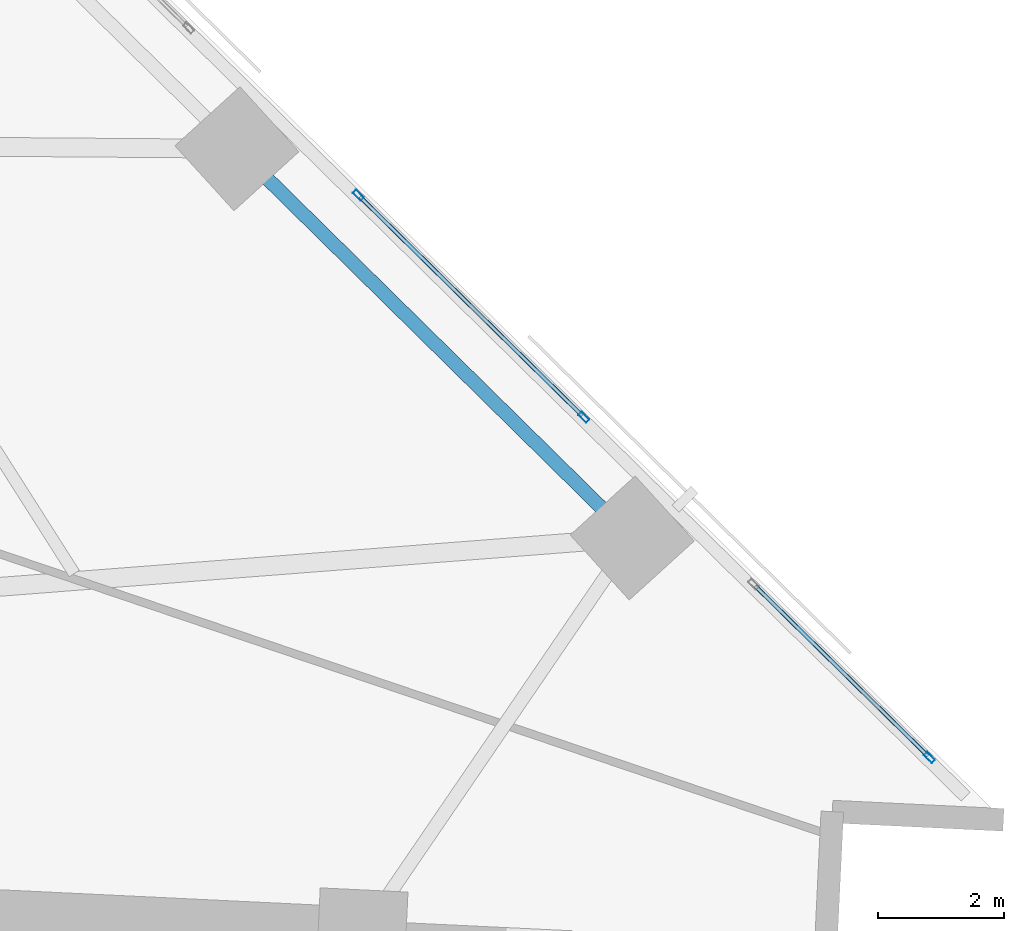
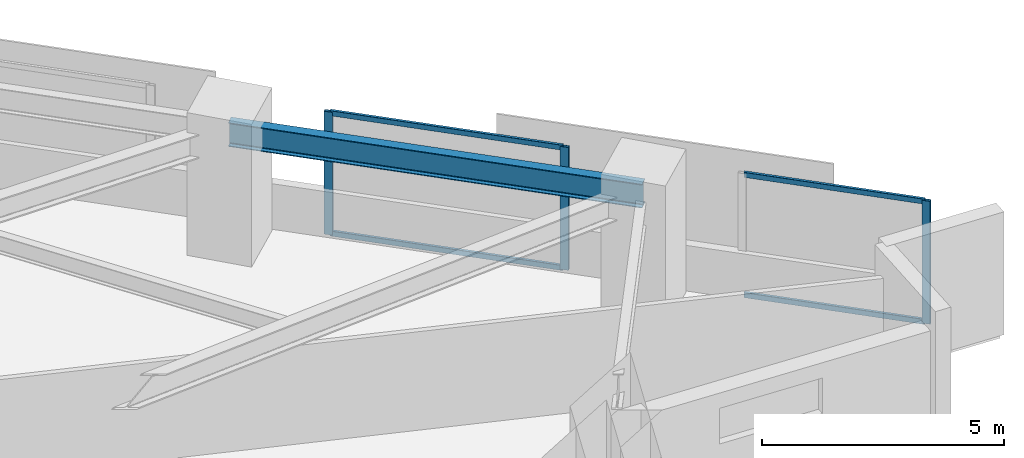
# One storey, part 5 of 17: 7 members, 1 beam, 2 elements without a shape of their own.
"""IFC4 building model written with IfcOpenShell, lengths in metres."""

from ifc_helpers import new_model, si_unit, direction, frame, origin, origin_2d, place, context, subcontext, project, spatial, hollow_rectangle, i_section, extrude, material, material_profile, profile_set, type_object, element, aggregate, save


model = new_model("IFC4")

# Units and contexts
model_context = context("Model", 3, precision=1e-05, world=origin(), true_north=direction((0.0, 1.0)))
body_context = subcontext(model_context, "Body", "Model", "MODEL_VIEW")
ifc_project = project(units=[si_unit("LENGTHUNIT", "METRE"), si_unit("AREAUNIT", "SQUARE_METRE"), si_unit("VOLUMEUNIT", "CUBIC_METRE"), si_unit("PLANEANGLEUNIT", "RADIAN"), si_unit("MASSUNIT", "GRAM", prefix="KILO")], contexts=[model_context])

# Site, building, storey
site_placement = place(None, origin())
site = spatial("IfcSite", under=ifc_project, at=site_placement, CompositionType="ELEMENT")
building_placement = place(site_placement, origin())
building = spatial("IfcBuilding", under=site, at=building_placement, Name="Narakoshi Arena Tower", CompositionType="ELEMENT")
storey_placement = place(building_placement, frame((0.0, 0.0, 55.5)))
storey = spatial("IfcBuildingStorey", under=building, at=storey_placement, Name="L14", CompositionType="ELEMENT", Elevation=55.5)

# Beam
ifc_material_1 = material(Name="Structural steel S355J2", Category="steel")
ifc_material_profile_1 = material_profile(ifc_material_1, i_section(OverallWidth=0.219970703125, OverallDepth=0.60009765625, WebThickness=0.011962890625, FlangeThickness=0.01904296875, FilletRadius=0.02392578125, at=origin_2d()), Name="IPE600")
ifc_profile_set_1 = profile_set([ifc_material_profile_1], Name="Structural steel S355J2")
beam_type = type_object("IfcBeamType", Name="BM-EDGE-600", PredefinedType="BEAM", material=ifc_profile_set_1)
beam_placement = place(storey_placement, frame((114.942138671875, 36.969970703125, 2.800048828125), z_axis=(-0.712540689328, 0.70163079041, 0.0), x_axis=(-0.70163079041, -0.712540689328, 0.0)))
element("IfcBeam", 1, at=beam_placement, inside=storey, type_object=beam_type, Name="L14 Perimeter Edge Girder 05", PredefinedType="BEAM", context=body_context, shape_type="SweptSolid", body=[
    extrude(i_section(OverallWidth=0.219970703125, OverallDepth=0.60009765625, WebThickness=0.011962890625, FlangeThickness=0.01904296875, FilletRadius=0.02392578125, at=origin_2d()), origin(), (0.0, 0.0, 1.0), 8.83935546875),
])

# Curtain wall, member
ifc_material_2 = material(Name="Anodised bronze aluminium 6063-T6", Category="aluminium")
curtain_wall_type = type_object("IfcCurtainWallType", Name="CW-HYP-LOW", PredefinedType="NOTDEFINED", material=ifc_material_2)
curtain_wall_1_placement = place(storey_placement, origin())
curtain_wall_1 = element("IfcCurtainWall", 2, at=curtain_wall_1_placement, inside=storey, type_object=curtain_wall_type, Name="L14 Folded Hypotenuse Curtain Wall 1-1", PredefinedType="NOTDEFINED")
ifc_material_profile_2 = material_profile(ifc_material_2, hollow_rectangle(XDim=0.074951171875, YDim=0.179931640625, WallThickness=0.00390625, OuterFilletRadius=0.0048828125, at=origin_2d()), Name="MUL180x75x4")
ifc_profile_set_2 = profile_set([ifc_material_profile_2], Name="Anodised bronze aluminium 6063-T6")
member_type_1 = type_object("IfcMemberType", Name="MEM-MUL-180", PredefinedType="MULLION", material=ifc_profile_set_2)
member_1_placement = place(storey_placement, frame((119.677734375, 33.471923828125, 0.0), z_axis=(0.0, 0.0, 1.0), x_axis=(-0.701630192894, -0.712541277695, 0.0)))
member_1 = element("IfcMember", 3, at=member_1_placement, type_object=member_type_1, Name="CW-01 mullion 1", PredefinedType="MULLION", context=body_context, shape_type="SweptSolid", body=[
    extrude(hollow_rectangle(XDim=0.074951171875, YDim=0.179931640625, WallThickness=0.00390625, OuterFilletRadius=0.0048828125, at=origin_2d()), origin(), (0.0, 0.0, 1.0), 3.10009765625),
])

# Curtain wall, members
curtain_wall_2_placement = place(storey_placement, origin())
curtain_wall_2 = element("IfcCurtainWall", 4, at=curtain_wall_2_placement, inside=storey, type_object=curtain_wall_type, Name="L14 Folded Hypotenuse Curtain Wall 1-2", PredefinedType="NOTDEFINED")
member_2_placement = place(storey_placement, frame((114.17138671875, 38.893798828125, 0.0), z_axis=(0.0, 0.0, 1.0), x_axis=(-0.701623031404, -0.712548329451, 0.0)))
member_2 = element("IfcMember", 5, at=member_2_placement, type_object=member_type_1, Name="CW-01 mullion 1", PredefinedType="MULLION", context=body_context, shape_type="SweptSolid", body=[
    extrude(hollow_rectangle(XDim=0.074951171875, YDim=0.179931640625, WallThickness=0.00390625, OuterFilletRadius=0.0048828125, at=origin_2d()), origin(), (0.0, 0.0, 1.0), 3.10009765625),
])
member_3_placement = place(storey_placement, frame((110.578857421875, 42.43115234375, 0.0), z_axis=(0.0, 0.0, 1.0), x_axis=(-0.701623031404, -0.712548329451, 0.0)))
member_3 = element("IfcMember", 6, at=member_3_placement, type_object=member_type_1, Name="CW-01 mullion 2", PredefinedType="MULLION", context=body_context, shape_type="SweptSolid", body=[
    extrude(hollow_rectangle(XDim=0.074951171875, YDim=0.179931640625, WallThickness=0.00390625, OuterFilletRadius=0.0048828125, at=origin_2d()), origin(), (0.0, 0.0, 1.0), 3.10009765625),
])

# Member
ifc_material_profile_3 = material_profile(ifc_material_2, hollow_rectangle(XDim=0.06494140625, YDim=0.1298828125, WallThickness=0.00390625, OuterFilletRadius=0.0048828125, at=origin_2d()), Name="TRN130x65x4")
ifc_profile_set_3 = profile_set([ifc_material_profile_3], Name="Anodised bronze aluminium 6063-T6")
member_type_2 = type_object("IfcMemberType", Name="MEM-TRN-130", PredefinedType="USERDEFINED", material=ifc_profile_set_3)
member_4_placement = place(storey_placement, frame((119.65087890625, 33.498046875, 0.032470703125), z_axis=(-0.712532234505, 0.701639376596, 0.0), x_axis=(-0.701639376596, -0.712532234505, 0.0)))
member_4 = element("IfcMember", 7, at=member_4_placement, type_object=member_type_2, Name="CW-01 transom 1.1", ObjectType="TRANSOM", PredefinedType="USERDEFINED", context=body_context, shape_type="SweptSolid", body=[
    extrude(hollow_rectangle(XDim=0.06494140625, YDim=0.1298828125, WallThickness=0.00390625, OuterFilletRadius=0.0048828125, at=origin_2d()), origin(), (0.0, 0.0, 1.0), 3.85498046875),
])

member_5_placement = place(storey_placement, frame((119.65087890625, 33.498046875, 3.0673828125), z_axis=(-0.712532234505, 0.701639376596, 0.0), x_axis=(-0.701639376596, -0.712532234505, 0.0)))
member_5 = element("IfcMember", 8, at=member_5_placement, type_object=member_type_2, Name="CW-01 transom 1.2", ObjectType="TRANSOM", PredefinedType="USERDEFINED", context=body_context, shape_type="SweptSolid", body=[
    extrude(hollow_rectangle(XDim=0.06494140625, YDim=0.1298828125, WallThickness=0.00390625, OuterFilletRadius=0.0048828125, at=origin_2d()), origin(), (0.0, 0.0, 1.0), 3.85498046875),
])

aggregate(curtain_wall_1, [member_1, member_4, member_5])

member_6_placement = place(storey_placement, frame((114.14453125, 38.920166015625, 0.032470703125), z_axis=(-0.712542243067, 0.701629212508, 0.0), x_axis=(-0.701629212508, -0.712542243067, 0.0)))
member_6 = element("IfcMember", 9, at=member_6_placement, type_object=member_type_2, Name="CW-01 transom 1.1", ObjectType="TRANSOM", PredefinedType="USERDEFINED", context=body_context, shape_type="SweptSolid", body=[
    extrude(hollow_rectangle(XDim=0.06494140625, YDim=0.1298828125, WallThickness=0.00390625, OuterFilletRadius=0.0048828125, at=origin_2d()), origin(), (0.0, 0.0, 1.0), 4.966552734375),
])

member_7_placement = place(storey_placement, frame((114.14453125, 38.920166015625, 3.0673828125), z_axis=(-0.712542243067, 0.701629212508, 0.0), x_axis=(-0.701629212508, -0.712542243067, 0.0)))
member_7 = element("IfcMember", 10, at=member_7_placement, type_object=member_type_2, Name="CW-01 transom 1.2", ObjectType="TRANSOM", PredefinedType="USERDEFINED", context=body_context, shape_type="SweptSolid", body=[
    extrude(hollow_rectangle(XDim=0.06494140625, YDim=0.1298828125, WallThickness=0.00390625, OuterFilletRadius=0.0048828125, at=origin_2d()), origin(), (0.0, 0.0, 1.0), 4.966552734375),
])

aggregate(curtain_wall_2, [member_2, member_3, member_6, member_7])

save(model, "model.ifc")
